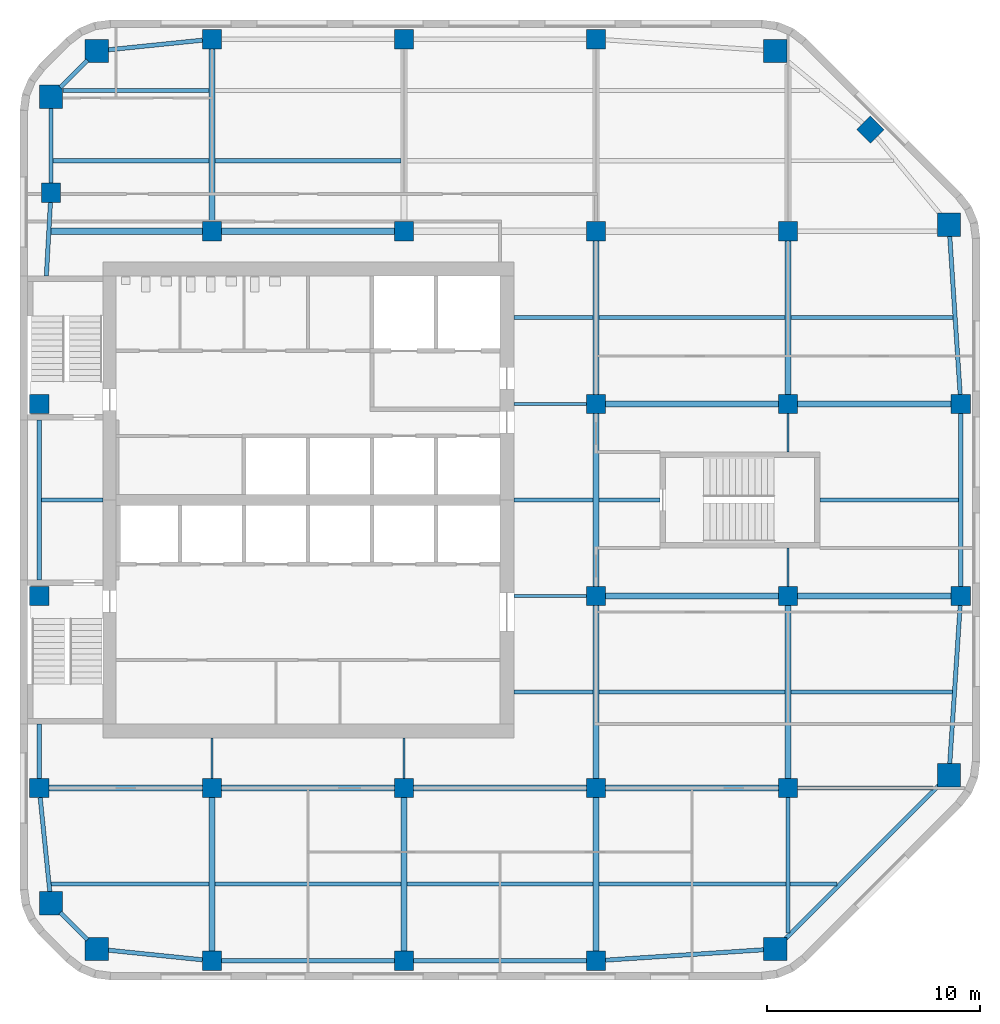
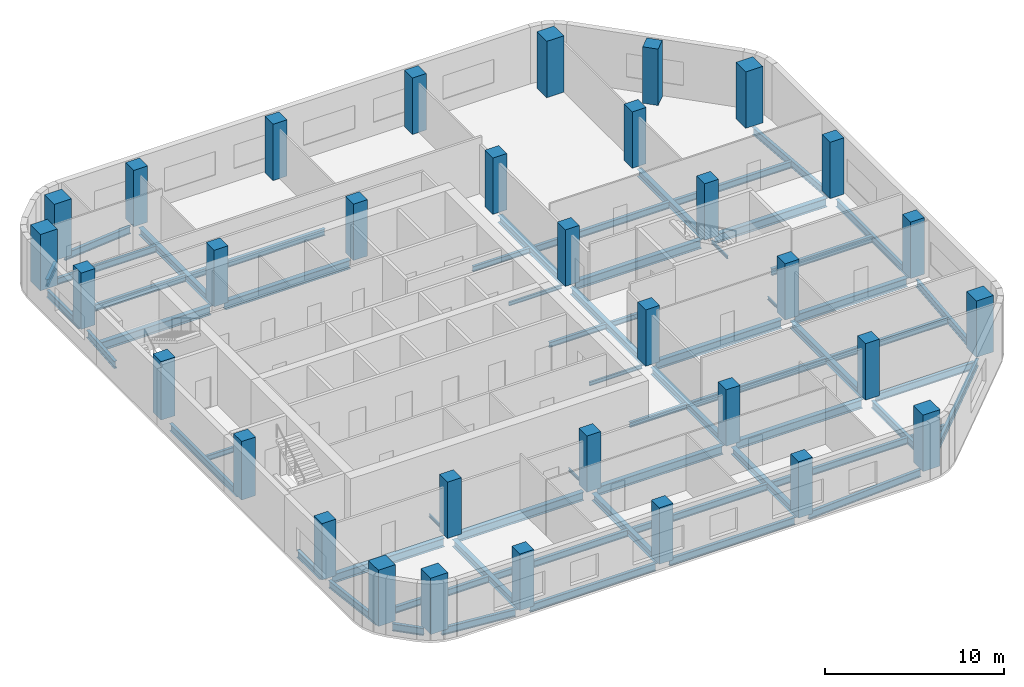
# One storey, part 1 of 8: 61 beams, 33 columns.
"""IFC4 building model written with IfcOpenShell, lengths in metres."""

from ifc_helpers import new_model, si_unit, direction, frame, origin, origin_2d, place, context, subcontext, project, spatial, rectangle, i_section, extrude, material, material_profile, profile_set, type_object, element, save


model = new_model("IFC4")

# Units and contexts
model_context = context("Model", 3, precision=1e-05, world=origin(), true_north=direction((0.0, 1.0)))
body_context = subcontext(model_context, "Body", "Model", "MODEL_VIEW")
ifc_project = project(units=[si_unit("LENGTHUNIT", "METRE"), si_unit("AREAUNIT", "SQUARE_METRE"), si_unit("VOLUMEUNIT", "CUBIC_METRE"), si_unit("PLANEANGLEUNIT", "RADIAN"), si_unit("MASSUNIT", "GRAM", prefix="KILO")], contexts=[model_context])

# Site, building, storey
site_placement = place(None, origin())
site = spatial("IfcSite", under=ifc_project, at=site_placement, CompositionType="ELEMENT")
building_placement = place(site_placement, origin())
building = spatial("IfcBuilding", under=site, at=building_placement, Name="Cinnabar Reach Civic Tower", CompositionType="ELEMENT")
storey_placement = place(building_placement, frame((0.0, 0.0, 165.0)))
storey = spatial("IfcBuildingStorey", under=building, at=storey_placement, Name="L39", CompositionType="ELEMENT", Elevation=165.0)

# Columns
ifc_material_1 = material(Name="Concrete C80", Category="concrete")
ifc_material_profile_1 = material_profile(ifc_material_1, rectangle(XDim=1.1, YDim=1.1, at=origin_2d()), Name="RC1100")
ifc_profile_set_1 = profile_set([ifc_material_profile_1], Name="Concrete C80")
column_type_1 = type_object("IfcColumnType", Name="RC1100 column R 240", PredefinedType="COLUMN", material=ifc_profile_set_1)
for number, where, z_axis, x_axis, name in (
    (1, (3.6019, 10.4531, 0.0), (0.0, 0.0, 1.0), (1.0, 0.0, 0.0), "Column T1-Z3-CC0"),
    (2, (35.3981, 10.4531, 0.0), (0.0, 0.0, 1.0), (1.0, 0.0, 0.0), "Column T1-Z3-CC1"),
    (3, (43.5469, 18.6019, 0.0), (0.0, 0.0, 1.0), (1.0, 0.0, 0.0), "Column T1-Z3-CC2"),
    (4, (43.5469, 44.3981, 0.0), (0.0, 0.0, 1.0), (1.0, 0.0, 0.0), "Column T1-Z3-CC3"),
    (5, (35.3981, 52.5469, 0.0), (0.0, 0.0, 1.0), (1.0, 0.0, 0.0), "Column T1-Z3-CC4"),
    (6, (3.6019, 52.5469, 0.0), (0.0, 0.0, 1.0), (1.0, 0.0, 0.0), "Column T1-Z3-CC5"),
    (7, (1.4531, 50.3981, 0.0), (0.0, 0.0, 1.0), (1.0, 0.0, 0.0), "Column T1-Z3-CC6"),
    (8, (1.4531, 12.6019, 0.0), (0.0, 0.0, 1.0), (1.0, 0.0, 0.0), "Column T1-Z3-CC7"),
):
    element("IfcColumn", number, at=place(storey_placement, frame(where, z_axis=z_axis, x_axis=x_axis)), inside=storey, type_object=column_type_1, Name=name, PredefinedType="COLUMN", context=body_context, shape_type="SweptSolid", body=[
        extrude(rectangle(XDim=1.1, YDim=1.1, at=origin_2d()), origin(), (0.0, 0.0, 1.0), 3.85),
    ])
ifc_material_2 = material(Name="Concrete C70", Category="concrete")
ifc_material_profile_2 = material_profile(ifc_material_2, rectangle(XDim=0.9, YDim=0.9, at=origin_2d()), Name="RC900")
ifc_profile_set_2 = profile_set([ifc_material_profile_2], Name="Concrete C70")
column_type_2 = type_object("IfcColumnType", Name="RC900 column R 240", PredefinedType="COLUMN", material=ifc_profile_set_2)
for number, where, z_axis, x_axis, name in (
    (9, (9.0, 9.9, 0.0), (0.0, 0.0, 1.0), (1.0, 0.0, 0.0), "Column T1-Z3-F0-1"),
    (10, (18.0, 9.9, 0.0), (0.0, 0.0, 1.0), (1.0, 0.0, 0.0), "Column T1-Z3-F0-2"),
    (11, (27.0, 9.9, 0.0), (0.0, 0.0, 1.0), (1.0, 0.0, 0.0), "Column T1-Z3-F0-3"),
    (12, (44.1, 27.0, 0.0), (0.0, 0.0, 1.0), (1.0, 0.0, 0.0), "Column T1-Z3-F2-3"),
    (13, (44.1, 36.0, 0.0), (0.0, 0.0, 1.0), (1.0, 0.0, 0.0), "Column T1-Z3-F2-4"),
    (14, (39.8636, 48.8636, 0.0), (0.0, 0.0, 1.0), (0.707106781187, 0.707106781187, 0.0), "Column T1-Z3-F3-M"),
    (15, (9.0, 53.1, 0.0), (0.0, 0.0, 1.0), (1.0, 0.0, 0.0), "Column T1-Z3-F4-1"),
    (16, (18.0, 53.1, 0.0), (0.0, 0.0, 1.0), (1.0, 0.0, 0.0), "Column T1-Z3-F4-2"),
    (17, (27.0, 53.1, 0.0), (0.0, 0.0, 1.0), (1.0, 0.0, 0.0), "Column T1-Z3-F4-3"),
    (18, (0.9, 18.0, 0.0), (0.0, 0.0, 1.0), (1.0, 0.0, 0.0), "Column T1-Z3-F6-2"),
):
    element("IfcColumn", number, at=place(storey_placement, frame(where, z_axis=z_axis, x_axis=x_axis)), inside=storey, type_object=column_type_2, Name=name, PredefinedType="COLUMN", context=body_context, shape_type="SweptSolid", body=[
        extrude(rectangle(XDim=0.9, YDim=0.9, at=origin_2d()), origin(), (0.0, 0.0, 1.0), 3.85),
    ])
for number, where, z_axis, x_axis, name in (
    (19, (0.9, 27.0, 0.0), (0.0, 0.0, 1.0), (1.0, 0.0, 0.0), "Column T1-Z3-F6-3"),
    (20, (0.9, 36.0, 0.0), (0.0, 0.0, 1.0), (1.0, 0.0, 0.0), "Column T1-Z3-F6-4"),
):
    element("IfcColumn", number, at=place(storey_placement, frame(where, z_axis=z_axis, x_axis=x_axis)), inside=storey, type_object=column_type_2, Name=name, PredefinedType="COLUMN", context=body_context, shape_type="SweptSolid", body=[
        extrude(rectangle(XDim=0.9, YDim=0.9, at=origin_2d()), origin(), (0.0, 0.0, 1.0), 4.0),
    ])
for number, where, z_axis, x_axis, name in (
    (21, (1.4531, 45.8981, 0.0), (0.0, 0.0, 1.0), (1.0, 0.0, 0.0), "Column T1-Z3-F6-5"),
    (22, (9.0, 18.0, 0.0), (0.0, 0.0, 1.0), (1.0, 0.0, 0.0), "Column T1-Z3-I9_18"),
    (23, (9.0, 44.1, 0.0), (0.0, 0.0, 1.0), (1.0, 0.0, 0.0), "Column T1-Z3-I9_45"),
    (24, (18.0, 18.0, 0.0), (0.0, 0.0, 1.0), (1.0, 0.0, 0.0), "Column T1-Z3-I18_18"),
    (25, (18.0, 44.1, 0.0), (0.0, 0.0, 1.0), (1.0, 0.0, 0.0), "Column T1-Z3-I18_45"),
    (26, (27.0, 18.0, 0.0), (0.0, 0.0, 1.0), (1.0, 0.0, 0.0), "Column T1-Z3-I27_18"),
    (27, (27.0, 27.0, 0.0), (0.0, 0.0, 1.0), (1.0, 0.0, 0.0), "Column T1-Z3-I27_27"),
    (28, (27.0, 36.0, 0.0), (0.0, 0.0, 1.0), (1.0, 0.0, 0.0), "Column T1-Z3-I27_36"),
    (29, (27.0, 44.1, 0.0), (0.0, 0.0, 1.0), (1.0, 0.0, 0.0), "Column T1-Z3-I27_45"),
    (30, (36.0, 18.0, 0.0), (0.0, 0.0, 1.0), (1.0, 0.0, 0.0), "Column T1-Z3-I36_18"),
    (31, (36.0, 27.0, 0.0), (0.0, 0.0, 1.0), (1.0, 0.0, 0.0), "Column T1-Z3-I36_27"),
    (32, (36.0, 36.0, 0.0), (0.0, 0.0, 1.0), (1.0, 0.0, 0.0), "Column T1-Z3-I36_36"),
    (33, (36.0, 44.1, 0.0), (0.0, 0.0, 1.0), (1.0, 0.0, 0.0), "Column T1-Z3-I36_45"),
):
    element("IfcColumn", number, at=place(storey_placement, frame(where, z_axis=z_axis, x_axis=x_axis)), inside=storey, type_object=column_type_2, Name=name, PredefinedType="COLUMN", context=body_context, shape_type="SweptSolid", body=[
        extrude(rectangle(XDim=0.9, YDim=0.9, at=origin_2d()), origin(), (0.0, 0.0, 1.0), 3.85),
    ])

# Beams
ifc_material_3 = material(Name="Steel Q355B", Category="steel")
ifc_material_profile_3 = material_profile(ifc_material_3, i_section(OverallWidth=0.3, OverallDepth=0.488, WebThickness=0.011, FlangeThickness=0.018, FilletRadius=0.016, at=origin_2d()), Name="HM488x300x11x18")
ifc_profile_set_3 = profile_set([ifc_material_profile_3], Name="Steel Q355B")
beam_type_1 = type_object("IfcBeamType", Name="HM488x300x11x18 beam R 180", PredefinedType="BEAM", material=ifc_profile_set_3)
beam_1_placement = place(storey_placement, frame((9.0, 10.352, -0.394), z_axis=(0.0, 1.0, 0.0), x_axis=(-1.0, 0.0, 0.0)))
element("IfcBeam", 34, at=beam_1_placement, inside=storey, type_object=beam_type_1, Name="Girder T1 L39 1", PredefinedType="BEAM", context=body_context, shape_type="SweptSolid", body=[
    extrude(i_section(OverallWidth=0.3, OverallDepth=0.488, WebThickness=0.011, FlangeThickness=0.018, FilletRadius=0.016, at=origin_2d()), origin(), (0.0, 0.0, 1.0), 7.196),
])
beam_2_placement = place(storey_placement, frame((9.0, 44.552, -0.394), z_axis=(0.0, 1.0, 0.0), x_axis=(-1.0, 0.0, 0.0)))
element("IfcBeam", 35, at=beam_2_placement, inside=storey, type_object=beam_type_1, Name="Girder T1 L39 3", PredefinedType="BEAM", context=body_context, shape_type="SweptSolid", body=[
    extrude(i_section(OverallWidth=0.3, OverallDepth=0.488, WebThickness=0.011, FlangeThickness=0.018, FilletRadius=0.016, at=origin_2d()), origin(), (0.0, 0.0, 1.0), 8.096),
])
for number, where, z_axis, x_axis, name in (
    (36, (18.0, 10.352, -0.394), (0.0, 1.0, 0.0), (-1.0, 0.0, 0.0), "Girder T1 L39 4"),
    (37, (27.0, 10.352, -0.394), (0.0, 1.0, 0.0), (-1.0, 0.0, 0.0), "Girder T1 L39 7"),
):
    element("IfcBeam", number, at=place(storey_placement, frame(where, z_axis=z_axis, x_axis=x_axis)), inside=storey, type_object=beam_type_1, Name=name, PredefinedType="BEAM", context=body_context, shape_type="SweptSolid", body=[
        extrude(i_section(OverallWidth=0.3, OverallDepth=0.488, WebThickness=0.011, FlangeThickness=0.018, FilletRadius=0.016, at=origin_2d()), origin(), (0.0, 0.0, 1.0), 7.196),
    ])
for number, where, z_axis, x_axis, name in (
    (38, (27.0, 18.452, -0.394), (0.0, 1.0, 0.0), (-1.0, 0.0, 0.0), "Girder T1 L39 8"),
    (39, (27.0, 27.452, -0.394), (0.0, 1.0, 0.0), (-1.0, 0.0, 0.0), "Girder T1 L39 9"),
):
    element("IfcBeam", number, at=place(storey_placement, frame(where, z_axis=z_axis, x_axis=x_axis)), inside=storey, type_object=beam_type_1, Name=name, PredefinedType="BEAM", context=body_context, shape_type="SweptSolid", body=[
        extrude(i_section(OverallWidth=0.3, OverallDepth=0.488, WebThickness=0.011, FlangeThickness=0.018, FilletRadius=0.016, at=origin_2d()), origin(), (0.0, 0.0, 1.0), 8.096),
    ])
beam_3_placement = place(storey_placement, frame((27.0, 36.452, -0.394), z_axis=(0.0, 1.0, 0.0), x_axis=(-1.0, 0.0, 0.0)))
element("IfcBeam", 40, at=beam_3_placement, inside=storey, type_object=beam_type_1, Name="Girder T1 L39 10", PredefinedType="BEAM", context=body_context, shape_type="SweptSolid", body=[
    extrude(i_section(OverallWidth=0.3, OverallDepth=0.488, WebThickness=0.011, FlangeThickness=0.018, FilletRadius=0.016, at=origin_2d()), origin(), (0.0, 0.0, 1.0), 7.196),
])
beam_4_placement = place(storey_placement, frame((36.0, 18.452, -0.394), z_axis=(0.0, 1.0, 0.0), x_axis=(-1.0, 0.0, 0.0)))
element("IfcBeam", 41, at=beam_4_placement, inside=storey, type_object=beam_type_1, Name="Girder T1 L39 13", PredefinedType="BEAM", context=body_context, shape_type="SweptSolid", body=[
    extrude(i_section(OverallWidth=0.3, OverallDepth=0.488, WebThickness=0.011, FlangeThickness=0.018, FilletRadius=0.016, at=origin_2d()), origin(), (0.0, 0.0, 1.0), 8.096),
])
beam_5_placement = place(storey_placement, frame((36.0, 36.452, -0.394), z_axis=(0.0, 1.0, 0.0), x_axis=(-1.0, 0.0, 0.0)))
element("IfcBeam", 42, at=beam_5_placement, inside=storey, type_object=beam_type_1, Name="Girder T1 L39 16", PredefinedType="BEAM", context=body_context, shape_type="SweptSolid", body=[
    extrude(i_section(OverallWidth=0.3, OverallDepth=0.488, WebThickness=0.011, FlangeThickness=0.018, FilletRadius=0.016, at=origin_2d()), origin(), (0.0, 0.0, 1.0), 7.196),
])
ifc_material_profile_4 = material_profile(ifc_material_3, i_section(OverallWidth=0.3, OverallDepth=0.588, WebThickness=0.012, FlangeThickness=0.02, FilletRadius=0.016, at=origin_2d()), Name="HM588x300x12x20")
ifc_profile_set_4 = profile_set([ifc_material_profile_4], Name="Steel Q355B")
beam_type_2 = type_object("IfcBeamType", Name="HM588x300x12x20 beam R 180", PredefinedType="BEAM", material=ifc_profile_set_4)
beam_6_placement = place(storey_placement, frame((1.352, 18.0, -0.444), z_axis=(1.0, 0.0, 0.0), x_axis=(0.0, 1.0, 0.0)))
element("IfcBeam", 43, at=beam_6_placement, inside=storey, type_object=beam_type_2, Name="Girder T1 L39 1", PredefinedType="BEAM", context=body_context, shape_type="SweptSolid", body=[
    extrude(i_section(OverallWidth=0.3, OverallDepth=0.588, WebThickness=0.012, FlangeThickness=0.02, FilletRadius=0.016, at=origin_2d()), origin(), (0.0, 0.0, 1.0), 7.196),
])
for number, where, z_axis, x_axis, name in (
    (44, (9.452, 18.0, -0.444), (1.0, 0.0, 0.0), (0.0, 1.0, 0.0), "Girder T1 L39 2"),
    (45, (18.452, 18.0, -0.444), (1.0, 0.0, 0.0), (0.0, 1.0, 0.0), "Girder T1 L39 3"),
    (46, (27.452, 18.0, -0.444), (1.0, 0.0, 0.0), (0.0, 1.0, 0.0), "Girder T1 L39 4"),
    (47, (27.452, 27.0, -0.444), (1.0, 0.0, 0.0), (0.0, 1.0, 0.0), "Girder T1 L39 7"),
):
    element("IfcBeam", number, at=place(storey_placement, frame(where, z_axis=z_axis, x_axis=x_axis)), inside=storey, type_object=beam_type_2, Name=name, PredefinedType="BEAM", context=body_context, shape_type="SweptSolid", body=[
        extrude(i_section(OverallWidth=0.3, OverallDepth=0.588, WebThickness=0.012, FlangeThickness=0.02, FilletRadius=0.016, at=origin_2d()), origin(), (0.0, 0.0, 1.0), 8.096),
    ])
beam_7_placement = place(storey_placement, frame((36.452, 27.0, -0.444), z_axis=(1.0, 0.0, 0.0), x_axis=(0.0, 1.0, 0.0)))
element("IfcBeam", 48, at=beam_7_placement, inside=storey, type_object=beam_type_2, Name="Girder T1 L39 8", PredefinedType="BEAM", context=body_context, shape_type="SweptSolid", body=[
    extrude(i_section(OverallWidth=0.3, OverallDepth=0.588, WebThickness=0.012, FlangeThickness=0.02, FilletRadius=0.016, at=origin_2d()), origin(), (0.0, 0.0, 1.0), 7.196),
])
beam_8_placement = place(storey_placement, frame((27.452, 36.0, -0.444), z_axis=(1.0, 0.0, 0.0), x_axis=(0.0, 1.0, 0.0)))
element("IfcBeam", 49, at=beam_8_placement, inside=storey, type_object=beam_type_2, Name="Girder T1 L39 10", PredefinedType="BEAM", context=body_context, shape_type="SweptSolid", body=[
    extrude(i_section(OverallWidth=0.3, OverallDepth=0.588, WebThickness=0.012, FlangeThickness=0.02, FilletRadius=0.016, at=origin_2d()), origin(), (0.0, 0.0, 1.0), 8.096),
])
beam_9_placement = place(storey_placement, frame((36.452, 36.0, -0.444), z_axis=(1.0, 0.0, 0.0), x_axis=(0.0, 1.0, 0.0)))
element("IfcBeam", 50, at=beam_9_placement, inside=storey, type_object=beam_type_2, Name="Girder T1 L39 11", PredefinedType="BEAM", context=body_context, shape_type="SweptSolid", body=[
    extrude(i_section(OverallWidth=0.3, OverallDepth=0.588, WebThickness=0.012, FlangeThickness=0.02, FilletRadius=0.016, at=origin_2d()), origin(), (0.0, 0.0, 1.0), 7.196),
])
beam_10_placement = place(storey_placement, frame((1.4548, 44.1, -0.444), z_axis=(1.0, 0.0, 0.0), x_axis=(0.0, 1.0, 0.0)))
element("IfcBeam", 51, at=beam_10_placement, inside=storey, type_object=beam_type_2, Name="Girder T1 L39 12", PredefinedType="BEAM", context=body_context, shape_type="SweptSolid", body=[
    extrude(i_section(OverallWidth=0.3, OverallDepth=0.588, WebThickness=0.012, FlangeThickness=0.02, FilletRadius=0.016, at=origin_2d()), origin(), (0.0, 0.0, 1.0), 7.0932),
])
beam_11_placement = place(storey_placement, frame((9.452, 44.1, -0.444), z_axis=(1.0, 0.0, 0.0), x_axis=(0.0, 1.0, 0.0)))
element("IfcBeam", 52, at=beam_11_placement, inside=storey, type_object=beam_type_2, Name="Girder T1 L39 13", PredefinedType="BEAM", context=body_context, shape_type="SweptSolid", body=[
    extrude(i_section(OverallWidth=0.3, OverallDepth=0.588, WebThickness=0.012, FlangeThickness=0.02, FilletRadius=0.016, at=origin_2d()), origin(), (0.0, 0.0, 1.0), 8.096),
])
ifc_material_profile_5 = material_profile(ifc_material_3, i_section(OverallWidth=0.099, OverallDepth=0.198, WebThickness=0.0045, FlangeThickness=0.007, FilletRadius=0.013, at=origin_2d()), Name="HN200x100x5.5x8")
ifc_profile_set_5 = profile_set([ifc_material_profile_5], Name="Steel Q355B")
beam_type_3 = type_object("IfcBeamType", Name="HN200x100x5.5x8 beam R 180", PredefinedType="BEAM", material=ifc_profile_set_5)
for number, where, z_axis, x_axis, name in (
    (53, (9.0, 18.452, -0.249), (0.0, 1.0, 0.0), (-1.0, 0.0, 0.0), "Girder T1 L39 2"),
    (54, (18.0, 18.452, -0.249), (0.0, 1.0, 0.0), (-1.0, 0.0, 0.0), "Girder T1 L39 5"),
):
    element("IfcBeam", number, at=place(storey_placement, frame(where, z_axis=z_axis, x_axis=x_axis)), inside=storey, type_object=beam_type_3, Name=name, PredefinedType="BEAM", context=body_context, shape_type="SweptSolid", body=[
        extrude(i_section(OverallWidth=0.099, OverallDepth=0.198, WebThickness=0.0045, FlangeThickness=0.007, FilletRadius=0.013, at=origin_2d()), origin(), (0.0, 0.0, 1.0), 1.896),
    ])
for number, where, z_axis, x_axis, name in (
    (55, (36.0, 27.452, -0.249), (0.0, 1.0, 0.0), (-1.0, 0.0, 0.0), "Girder T1 L39 14"),
    (56, (36.0, 33.752, -0.249), (0.0, 1.0, 0.0), (-1.0, 0.0, 0.0), "Girder T1 L39 15"),
):
    element("IfcBeam", number, at=place(storey_placement, frame(where, z_axis=z_axis, x_axis=x_axis)), inside=storey, type_object=beam_type_3, Name=name, PredefinedType="BEAM", context=body_context, shape_type="SweptSolid", body=[
        extrude(i_section(OverallWidth=0.099, OverallDepth=0.198, WebThickness=0.0045, FlangeThickness=0.007, FilletRadius=0.013, at=origin_2d()), origin(), (0.0, 0.0, 1.0), 1.796),
    ])
ifc_material_profile_6 = material_profile(ifc_material_3, i_section(OverallWidth=0.124, OverallDepth=0.248, WebThickness=0.005, FlangeThickness=0.008, FilletRadius=0.013, at=origin_2d()), Name="HN250x125x6x9")
ifc_profile_set_6 = profile_set([ifc_material_profile_6], Name="Steel Q355B")
beam_type_4 = type_object("IfcBeamType", Name="HN250x125x6x9 beam R 180", PredefinedType="BEAM", material=ifc_profile_set_6)
for number, where, z_axis, x_axis, name in (
    (57, (23.152, 27.0, -0.274), (1.0, 0.0, 0.0), (0.0, 1.0, 0.0), "Girder T1 L39 6"),
    (58, (23.152, 36.0, -0.274), (1.0, 0.0, 0.0), (0.0, 1.0, 0.0), "Girder T1 L39 9"),
):
    element("IfcBeam", number, at=place(storey_placement, frame(where, z_axis=z_axis, x_axis=x_axis)), inside=storey, type_object=beam_type_4, Name=name, PredefinedType="BEAM", context=body_context, shape_type="SweptSolid", body=[
        extrude(i_section(OverallWidth=0.124, OverallDepth=0.248, WebThickness=0.005, FlangeThickness=0.008, FilletRadius=0.013, at=origin_2d()), origin(), (0.0, 0.0, 1.0), 3.396),
    ])
ifc_material_profile_7 = material_profile(ifc_material_3, i_section(OverallWidth=0.175, OverallDepth=0.35, WebThickness=0.007, FlangeThickness=0.011, FilletRadius=0.013, at=origin_2d()), Name="HN350x175x7x11")
ifc_profile_set_7 = profile_set([ifc_material_profile_7], Name="Steel Q355B")
beam_type_5 = type_object("IfcBeamType", Name="HN350x175x7x11 beam R 180", PredefinedType="BEAM", material=ifc_profile_set_7)
beam_12_placement = place(storey_placement, frame((36.102, 13.5, -0.325), z_axis=(1.0, 0.0, 0.0), x_axis=(0.0, 1.0, 0.0)))
element("IfcBeam", 59, at=beam_12_placement, inside=storey, type_object=beam_type_5, Name="Secondary beam T1 L39 5", PredefinedType="BEAM", context=body_context, shape_type="SweptSolid", body=[
    extrude(i_section(OverallWidth=0.175, OverallDepth=0.35, WebThickness=0.007, FlangeThickness=0.011, FilletRadius=0.013, at=origin_2d()), origin(), (0.0, 0.0, 1.0), 2.1988),
])
beam_13_placement = place(storey_placement, frame((23.152, 22.5, -0.325), z_axis=(1.0, 0.0, 0.0), x_axis=(0.0, 1.0, 0.0)))
element("IfcBeam", 60, at=beam_13_placement, inside=storey, type_object=beam_type_5, Name="Secondary beam T1 L39 6", PredefinedType="BEAM", context=body_context, shape_type="SweptSolid", body=[
    extrude(i_section(OverallWidth=0.175, OverallDepth=0.35, WebThickness=0.007, FlangeThickness=0.011, FilletRadius=0.013, at=origin_2d()), origin(), (0.0, 0.0, 1.0), 3.696),
])
beam_14_placement = place(storey_placement, frame((1.002, 31.5, -0.325), z_axis=(1.0, 0.0, 0.0), x_axis=(0.0, 1.0, 0.0)))
element("IfcBeam", 61, at=beam_14_placement, inside=storey, type_object=beam_type_5, Name="Secondary beam T1 L39 9", PredefinedType="BEAM", context=body_context, shape_type="SweptSolid", body=[
    extrude(i_section(OverallWidth=0.175, OverallDepth=0.35, WebThickness=0.007, FlangeThickness=0.011, FilletRadius=0.013, at=origin_2d()), origin(), (0.0, 0.0, 1.0), 2.896),
])
beam_15_placement = place(storey_placement, frame((23.152, 31.5, -0.325), z_axis=(1.0, 0.0, 0.0), x_axis=(0.0, 1.0, 0.0)))
element("IfcBeam", 62, at=beam_15_placement, inside=storey, type_object=beam_type_5, Name="Secondary beam T1 L39 10", PredefinedType="BEAM", context=body_context, shape_type="SweptSolid", body=[
    extrude(i_section(OverallWidth=0.175, OverallDepth=0.35, WebThickness=0.007, FlangeThickness=0.011, FilletRadius=0.013, at=origin_2d()), origin(), (0.0, 0.0, 1.0), 3.696),
])
beam_16_placement = place(storey_placement, frame((27.152, 31.5, -0.325), z_axis=(1.0, 0.0, 0.0), x_axis=(0.0, 1.0, 0.0)))
element("IfcBeam", 63, at=beam_16_placement, inside=storey, type_object=beam_type_5, Name="Secondary beam T1 L39 11", PredefinedType="BEAM", context=body_context, shape_type="SweptSolid", body=[
    extrude(i_section(OverallWidth=0.175, OverallDepth=0.35, WebThickness=0.007, FlangeThickness=0.011, FilletRadius=0.013, at=origin_2d()), origin(), (0.0, 0.0, 1.0), 2.846),
])
beam_17_placement = place(storey_placement, frame((23.152, 40.05, -0.325), z_axis=(1.0, 0.0, 0.0), x_axis=(0.0, 1.0, 0.0)))
element("IfcBeam", 64, at=beam_17_placement, inside=storey, type_object=beam_type_5, Name="Secondary beam T1 L39 13", PredefinedType="BEAM", context=body_context, shape_type="SweptSolid", body=[
    extrude(i_section(OverallWidth=0.175, OverallDepth=0.35, WebThickness=0.007, FlangeThickness=0.011, FilletRadius=0.013, at=origin_2d()), origin(), (0.0, 0.0, 1.0), 3.696),
])
ifc_material_profile_8 = material_profile(ifc_material_3, i_section(OverallWidth=0.2, OverallDepth=0.45, WebThickness=0.009, FlangeThickness=0.014, FilletRadius=0.016, at=origin_2d()), Name="HN450x200x9x14")
ifc_profile_set_8 = profile_set([ifc_material_profile_8], Name="Steel Q355B")
beam_type_6 = type_object("IfcBeamType", Name="HN450x200x9x14 beam R 180", PredefinedType="BEAM", material=ifc_profile_set_8)
beam_18_placement = place(storey_placement, frame((1.4636, 13.5, -0.375), z_axis=(1.0, 0.0, 0.0), x_axis=(0.0, 1.0, 0.0)))
element("IfcBeam", 65, at=beam_18_placement, inside=storey, type_object=beam_type_6, Name="Secondary beam T1 L39 1", PredefinedType="BEAM", context=body_context, shape_type="SweptSolid", body=[
    extrude(i_section(OverallWidth=0.2, OverallDepth=0.45, WebThickness=0.009, FlangeThickness=0.014, FilletRadius=0.016, at=origin_2d()), origin(), (0.0, 0.0, 1.0), 7.3844),
])
for number, where, z_axis, x_axis, name in (
    (66, (9.152, 13.5, -0.375), (1.0, 0.0, 0.0), (0.0, 1.0, 0.0), "Secondary beam T1 L39 2"),
    (67, (18.152, 13.5, -0.375), (1.0, 0.0, 0.0), (0.0, 1.0, 0.0), "Secondary beam T1 L39 3"),
):
    element("IfcBeam", number, at=place(storey_placement, frame(where, z_axis=z_axis, x_axis=x_axis)), inside=storey, type_object=beam_type_6, Name=name, PredefinedType="BEAM", context=body_context, shape_type="SweptSolid", body=[
        extrude(i_section(OverallWidth=0.2, OverallDepth=0.45, WebThickness=0.009, FlangeThickness=0.014, FilletRadius=0.016, at=origin_2d()), origin(), (0.0, 0.0, 1.0), 8.696),
    ])
beam_19_placement = place(storey_placement, frame((27.152, 13.5, -0.375), z_axis=(1.0, 0.0, 0.0), x_axis=(0.0, 1.0, 0.0)))
element("IfcBeam", 68, at=beam_19_placement, inside=storey, type_object=beam_type_6, Name="Secondary beam T1 L39 4", PredefinedType="BEAM", context=body_context, shape_type="SweptSolid", body=[
    extrude(i_section(OverallWidth=0.2, OverallDepth=0.45, WebThickness=0.009, FlangeThickness=0.014, FilletRadius=0.016, at=origin_2d()), origin(), (0.0, 0.0, 1.0), 8.746),
])
beam_20_placement = place(storey_placement, frame((27.152, 22.5, -0.375), z_axis=(1.0, 0.0, 0.0), x_axis=(0.0, 1.0, 0.0)))
element("IfcBeam", 69, at=beam_20_placement, inside=storey, type_object=beam_type_6, Name="Secondary beam T1 L39 7", PredefinedType="BEAM", context=body_context, shape_type="SweptSolid", body=[
    extrude(i_section(OverallWidth=0.2, OverallDepth=0.45, WebThickness=0.009, FlangeThickness=0.014, FilletRadius=0.016, at=origin_2d()), origin(), (0.0, 0.0, 1.0), 8.696),
])
beam_21_placement = place(storey_placement, frame((36.152, 22.5, -0.375), z_axis=(1.0, 0.0, 0.0), x_axis=(0.0, 1.0, 0.0)))
element("IfcBeam", 70, at=beam_21_placement, inside=storey, type_object=beam_type_6, Name="Secondary beam T1 L39 8", PredefinedType="BEAM", context=body_context, shape_type="SweptSolid", body=[
    extrude(i_section(OverallWidth=0.2, OverallDepth=0.45, WebThickness=0.009, FlangeThickness=0.014, FilletRadius=0.016, at=origin_2d()), origin(), (0.0, 0.0, 1.0), 7.5494),
])
beam_22_placement = place(storey_placement, frame((37.502, 31.5, -0.375), z_axis=(1.0, 0.0, 0.0), x_axis=(0.0, 1.0, 0.0)))
element("IfcBeam", 71, at=beam_22_placement, inside=storey, type_object=beam_type_6, Name="Secondary beam T1 L39 12", PredefinedType="BEAM", context=body_context, shape_type="SweptSolid", body=[
    extrude(i_section(OverallWidth=0.2, OverallDepth=0.45, WebThickness=0.009, FlangeThickness=0.014, FilletRadius=0.016, at=origin_2d()), origin(), (0.0, 0.0, 1.0), 6.496),
])
beam_23_placement = place(storey_placement, frame((27.152, 40.05, -0.375), z_axis=(1.0, 0.0, 0.0), x_axis=(0.0, 1.0, 0.0)))
element("IfcBeam", 72, at=beam_23_placement, inside=storey, type_object=beam_type_6, Name="Secondary beam T1 L39 14", PredefinedType="BEAM", context=body_context, shape_type="SweptSolid", body=[
    extrude(i_section(OverallWidth=0.2, OverallDepth=0.45, WebThickness=0.009, FlangeThickness=0.014, FilletRadius=0.016, at=origin_2d()), origin(), (0.0, 0.0, 1.0), 8.696),
])
beam_24_placement = place(storey_placement, frame((36.152, 40.05, -0.375), z_axis=(1.0, 0.0, 0.0), x_axis=(0.0, 1.0, 0.0)))
element("IfcBeam", 73, at=beam_24_placement, inside=storey, type_object=beam_type_6, Name="Secondary beam T1 L39 15", PredefinedType="BEAM", context=body_context, shape_type="SweptSolid", body=[
    extrude(i_section(OverallWidth=0.2, OverallDepth=0.45, WebThickness=0.009, FlangeThickness=0.014, FilletRadius=0.016, at=origin_2d()), origin(), (0.0, 0.0, 1.0), 7.579),
])
beam_25_placement = place(storey_placement, frame((1.5551, 47.4, -0.375), z_axis=(1.0, 0.0, 0.0), x_axis=(0.0, 1.0, 0.0)))
element("IfcBeam", 74, at=beam_25_placement, inside=storey, type_object=beam_type_6, Name="Secondary beam T1 L39 16", PredefinedType="BEAM", context=body_context, shape_type="SweptSolid", body=[
    extrude(i_section(OverallWidth=0.2, OverallDepth=0.45, WebThickness=0.009, FlangeThickness=0.014, FilletRadius=0.016, at=origin_2d()), origin(), (0.0, 0.0, 1.0), 7.2929),
])
beam_26_placement = place(storey_placement, frame((9.152, 47.4, -0.375), z_axis=(1.0, 0.0, 0.0), x_axis=(0.0, 1.0, 0.0)))
element("IfcBeam", 75, at=beam_26_placement, inside=storey, type_object=beam_type_6, Name="Secondary beam T1 L39 17", PredefinedType="BEAM", context=body_context, shape_type="SweptSolid", body=[
    extrude(i_section(OverallWidth=0.2, OverallDepth=0.45, WebThickness=0.009, FlangeThickness=0.014, FilletRadius=0.016, at=origin_2d()), origin(), (0.0, 0.0, 1.0), 8.696),
])
beam_27_placement = place(storey_placement, frame((2.0051, 50.7, -0.375), z_axis=(1.0, 0.0, 0.0), x_axis=(0.0, 1.0, 0.0)))
element("IfcBeam", 76, at=beam_27_placement, inside=storey, type_object=beam_type_6, Name="Secondary beam T1 L39 21", PredefinedType="BEAM", context=body_context, shape_type="SweptSolid", body=[
    extrude(i_section(OverallWidth=0.2, OverallDepth=0.45, WebThickness=0.009, FlangeThickness=0.014, FilletRadius=0.016, at=origin_2d()), origin(), (0.0, 0.0, 1.0), 6.8429),
])
ifc_material_profile_9 = material_profile(ifc_material_3, i_section(OverallWidth=0.2, OverallDepth=0.5, WebThickness=0.01, FlangeThickness=0.016, FilletRadius=0.016, at=origin_2d()), Name="HN500x200x10x16")
ifc_profile_set_9 = profile_set([ifc_material_profile_9], Name="Steel Q355B")
beam_type_7 = type_object("IfcBeamType", Name="HN500x200x10x16 beam R 180", PredefinedType="BEAM", material=ifc_profile_set_9)
beam_28_placement = place(storey_placement, frame((4.0339, 10.4088, -0.4), z_axis=(0.994792272495, -0.101923179821, 0.0), x_axis=(0.101923179821, 0.994792272495, 0.0)))
element("IfcBeam", 77, at=beam_28_placement, inside=storey, type_object=beam_type_7, Name="Edge beam T1 L39 1", PredefinedType="BEAM", context=body_context, shape_type="SweptSolid", body=[
    extrude(i_section(OverallWidth=0.2, OverallDepth=0.5, WebThickness=0.01, FlangeThickness=0.016, FilletRadius=0.016, at=origin_2d()), origin(), (0.0, 0.0, 1.0), 4.5377),
])
for number, where, z_axis, x_axis, name in (
    (78, (9.452, 9.9, -0.4), (1.0, 0.0, 0.0), (0.0, 1.0, 0.0), "Edge beam T1 L39 2"),
    (79, (18.452, 9.9, -0.4), (1.0, 0.0, 0.0), (0.0, 1.0, 0.0), "Edge beam T1 L39 3"),
):
    element("IfcBeam", number, at=place(storey_placement, frame(where, z_axis=z_axis, x_axis=x_axis)), inside=storey, type_object=beam_type_7, Name=name, PredefinedType="BEAM", context=body_context, shape_type="SweptSolid", body=[
        extrude(i_section(OverallWidth=0.2, OverallDepth=0.5, WebThickness=0.01, FlangeThickness=0.016, FilletRadius=0.016, at=origin_2d()), origin(), (0.0, 0.0, 1.0), 8.096),
    ])
beam_29_placement = place(storey_placement, frame((27.452, 9.9298, -0.4), z_axis=(0.99783894477, 0.065707231721, 0.0), x_axis=(-0.065707231721, 0.99783894477, 0.0)))
element("IfcBeam", 80, at=beam_29_placement, inside=storey, type_object=beam_type_7, Name="Edge beam T1 L39 4", PredefinedType="BEAM", context=body_context, shape_type="SweptSolid", body=[
    extrude(i_section(OverallWidth=0.2, OverallDepth=0.5, WebThickness=0.01, FlangeThickness=0.016, FilletRadius=0.016, at=origin_2d()), origin(), (0.0, 0.0, 1.0), 7.5304),
])
beam_30_placement = place(storey_placement, frame((35.8301, 10.8851, -0.4), z_axis=(0.707106781187, 0.707106781187, 0.0), x_axis=(-0.707106781187, 0.707106781187, 0.0)))
element("IfcBeam", 81, at=beam_30_placement, inside=storey, type_object=beam_type_7, Name="Edge beam T1 L39 5", PredefinedType="BEAM", context=body_context, shape_type="SweptSolid", body=[
    extrude(i_section(OverallWidth=0.2, OverallDepth=0.5, WebThickness=0.01, FlangeThickness=0.016, FilletRadius=0.016, at=origin_2d()), origin(), (0.0, 0.0, 1.0), 10.3023),
])
beam_31_placement = place(storey_placement, frame((43.5754, 19.0339, -0.4), z_axis=(0.065707231721, 0.99783894477, 0.0), x_axis=(-0.99783894477, 0.065707231721, 0.0)))
element("IfcBeam", 82, at=beam_31_placement, inside=storey, type_object=beam_type_7, Name="Edge beam T1 L39 6", PredefinedType="BEAM", context=body_context, shape_type="SweptSolid", body=[
    extrude(i_section(OverallWidth=0.2, OverallDepth=0.5, WebThickness=0.01, FlangeThickness=0.016, FilletRadius=0.016, at=origin_2d()), origin(), (0.0, 0.0, 1.0), 7.5304),
])
beam_32_placement = place(storey_placement, frame((44.1, 27.452, -0.4), z_axis=(0.0, 1.0, 0.0), x_axis=(-1.0, 0.0, 0.0)))
element("IfcBeam", 83, at=beam_32_placement, inside=storey, type_object=beam_type_7, Name="Edge beam T1 L39 7", PredefinedType="BEAM", context=body_context, shape_type="SweptSolid", body=[
    extrude(i_section(OverallWidth=0.2, OverallDepth=0.5, WebThickness=0.01, FlangeThickness=0.016, FilletRadius=0.016, at=origin_2d()), origin(), (0.0, 0.0, 1.0), 8.096),
])
beam_33_placement = place(storey_placement, frame((44.0702, 36.452, -0.4), z_axis=(-0.065707231721, 0.99783894477, 0.0), x_axis=(-0.99783894477, -0.065707231721, 0.0)))
element("IfcBeam", 84, at=beam_33_placement, inside=storey, type_object=beam_type_7, Name="Edge beam T1 L39 8", PredefinedType="BEAM", context=body_context, shape_type="SweptSolid", body=[
    extrude(i_section(OverallWidth=0.2, OverallDepth=0.5, WebThickness=0.01, FlangeThickness=0.016, FilletRadius=0.016, at=origin_2d()), origin(), (0.0, 0.0, 1.0), 7.5304),
])
beam_34_placement = place(storey_placement, frame((8.548, 53.0537, -0.4), z_axis=(-0.994792272495, -0.101923179821, 0.0), x_axis=(0.101923179821, -0.994792272495, 0.0)))
element("IfcBeam", 85, at=beam_34_placement, inside=storey, type_object=beam_type_7, Name="Edge beam T1 L39 14", PredefinedType="BEAM", context=body_context, shape_type="SweptSolid", body=[
    extrude(i_section(OverallWidth=0.2, OverallDepth=0.5, WebThickness=0.01, FlangeThickness=0.016, FilletRadius=0.016, at=origin_2d()), origin(), (0.0, 0.0, 1.0), 4.5377),
])
beam_35_placement = place(storey_placement, frame((3.1699, 52.1149, -0.4), z_axis=(-0.707106781187, -0.707106781187, 0.0), x_axis=(0.707106781187, -0.707106781187, 0.0)))
element("IfcBeam", 86, at=beam_35_placement, inside=storey, type_object=beam_type_7, Name="Edge beam T1 L39 15", PredefinedType="BEAM", context=body_context, shape_type="SweptSolid", body=[
    extrude(i_section(OverallWidth=0.2, OverallDepth=0.5, WebThickness=0.01, FlangeThickness=0.016, FilletRadius=0.016, at=origin_2d()), origin(), (0.0, 0.0, 1.0), 1.817),
])
beam_36_placement = place(storey_placement, frame((1.4531, 49.9661, -0.4), z_axis=(0.0, -1.0, 0.0), x_axis=(1.0, 0.0, 0.0)))
element("IfcBeam", 87, at=beam_36_placement, inside=storey, type_object=beam_type_7, Name="Edge beam T1 L39 16", PredefinedType="BEAM", context=body_context, shape_type="SweptSolid", body=[
    extrude(i_section(OverallWidth=0.2, OverallDepth=0.5, WebThickness=0.01, FlangeThickness=0.016, FilletRadius=0.016, at=origin_2d()), origin(), (0.0, 0.0, 1.0), 3.616),
])
beam_37_placement = place(storey_placement, frame((1.4278, 45.4461, -0.4), z_axis=(-0.0557766862, -0.998443268932, 0.0), x_axis=(0.998443268932, -0.0557766862, 0.0)))
element("IfcBeam", 88, at=beam_37_placement, inside=storey, type_object=beam_type_7, Name="Edge beam T1 L39 17", PredefinedType="BEAM", context=body_context, shape_type="SweptSolid", body=[
    extrude(i_section(OverallWidth=0.2, OverallDepth=0.5, WebThickness=0.01, FlangeThickness=0.016, FilletRadius=0.016, at=origin_2d()), origin(), (0.0, 0.0, 1.0), 3.4495),
])
beam_38_placement = place(storey_placement, frame((0.9, 35.248, -0.4), z_axis=(0.0, -1.0, 0.0), x_axis=(1.0, 0.0, 0.0)))
element("IfcBeam", 89, at=beam_38_placement, inside=storey, type_object=beam_type_7, Name="Edge beam T1 L39 18", PredefinedType="BEAM", context=body_context, shape_type="SweptSolid", body=[
    extrude(i_section(OverallWidth=0.2, OverallDepth=0.5, WebThickness=0.01, FlangeThickness=0.016, FilletRadius=0.016, at=origin_2d()), origin(), (0.0, 0.0, 1.0), 7.496),
])
beam_39_placement = place(storey_placement, frame((0.9, 20.998, -0.4), z_axis=(0.0, -1.0, 0.0), x_axis=(1.0, 0.0, 0.0)))
element("IfcBeam", 90, at=beam_39_placement, inside=storey, type_object=beam_type_7, Name="Edge beam T1 L39 19", PredefinedType="BEAM", context=body_context, shape_type="SweptSolid", body=[
    extrude(i_section(OverallWidth=0.2, OverallDepth=0.5, WebThickness=0.01, FlangeThickness=0.016, FilletRadius=0.016, at=origin_2d()), origin(), (0.0, 0.0, 1.0), 2.546),
])
beam_40_placement = place(storey_placement, frame((0.9463, 17.548, -0.4), z_axis=(0.101923179821, -0.994792272495, 0.0), x_axis=(0.994792272495, 0.101923179821, 0.0)))
element("IfcBeam", 91, at=beam_40_placement, inside=storey, type_object=beam_type_7, Name="Edge beam T1 L39 20", PredefinedType="BEAM", context=body_context, shape_type="SweptSolid", body=[
    extrude(i_section(OverallWidth=0.2, OverallDepth=0.5, WebThickness=0.01, FlangeThickness=0.016, FilletRadius=0.016, at=origin_2d()), origin(), (0.0, 0.0, 1.0), 4.5377),
])
beam_41_placement = place(storey_placement, frame((1.8851, 12.1699, -0.4), z_axis=(0.707106781187, -0.707106781187, 0.0), x_axis=(0.707106781187, 0.707106781187, 0.0)))
element("IfcBeam", 92, at=beam_41_placement, inside=storey, type_object=beam_type_7, Name="Edge beam T1 L39 21", PredefinedType="BEAM", context=body_context, shape_type="SweptSolid", body=[
    extrude(i_section(OverallWidth=0.2, OverallDepth=0.5, WebThickness=0.01, FlangeThickness=0.016, FilletRadius=0.016, at=origin_2d()), origin(), (0.0, 0.0, 1.0), 1.817),
])
for number, where, z_axis, x_axis, name in (
    (93, (36.452, 18.0, -0.4), (1.0, 0.0, 0.0), (0.0, 1.0, 0.0), "Girder T1 L39 5"),
    (94, (36.0, 11.1992, -0.4), (0.0, 1.0, 0.0), (-1.0, 0.0, 0.0), "Girder T1 L39 12"),
):
    element("IfcBeam", number, at=place(storey_placement, frame(where, z_axis=z_axis, x_axis=x_axis)), inside=storey, type_object=beam_type_7, Name=name, PredefinedType="BEAM", context=body_context, shape_type="SweptSolid", body=[
        extrude(i_section(OverallWidth=0.2, OverallDepth=0.5, WebThickness=0.01, FlangeThickness=0.016, FilletRadius=0.016, at=origin_2d()), origin(), (0.0, 0.0, 1.0), 6.3488),
    ])

save(model, "model.ifc")
